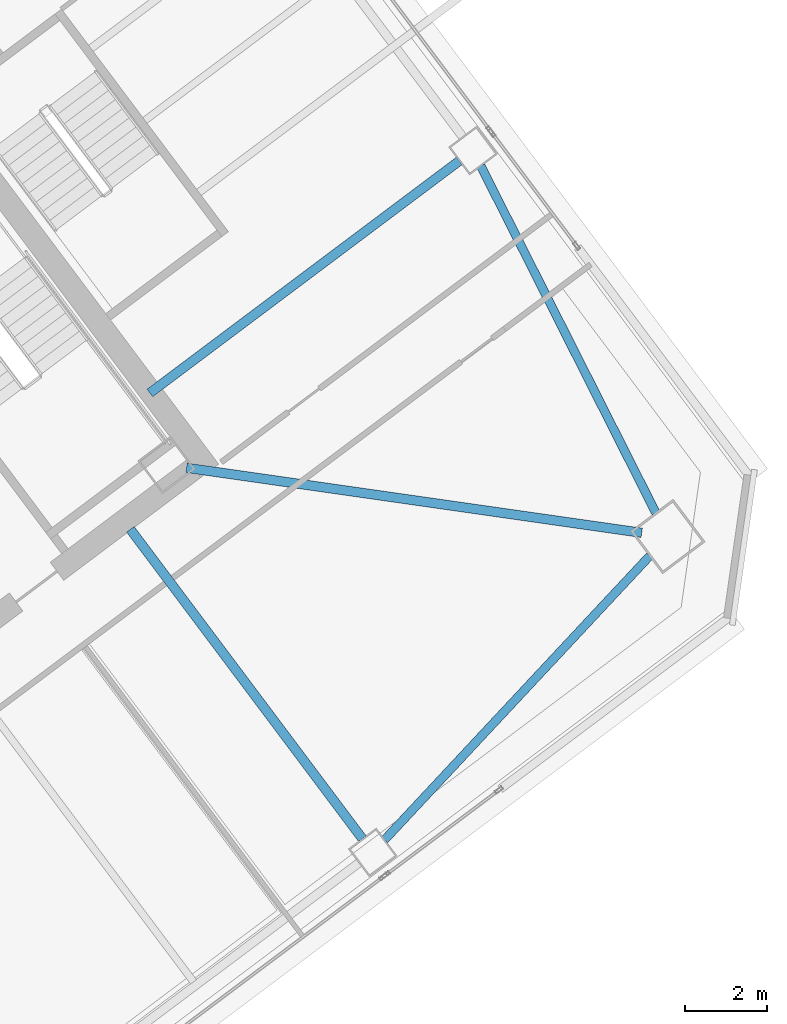
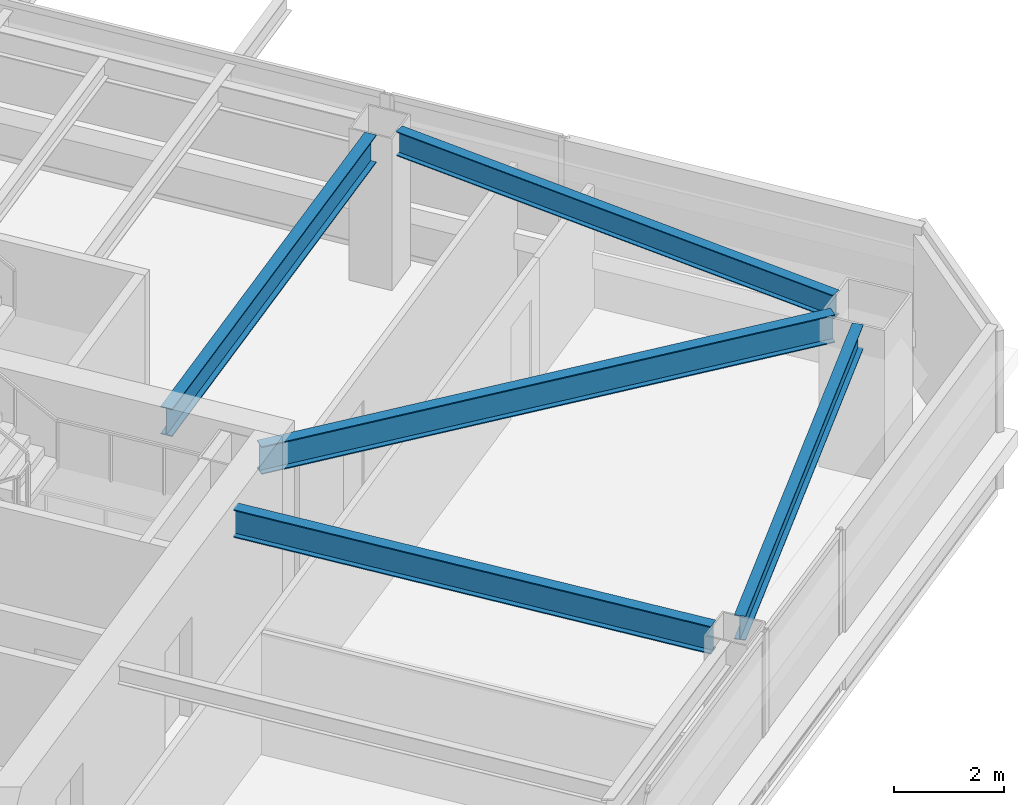
# One storey, part 23 of 40: 5 beams.
"""IFC4 building model written with IfcOpenShell, lengths in metres."""

from ifc_helpers import new_model, si_unit, direction, frame, origin, origin_2d, place, context, subcontext, project, spatial, i_section, extrude, material, material_profile, profile_set, type_object, element, save


model = new_model("IFC4")

# Units and contexts
model_context = context("Model", 3, precision=1e-05, world=origin(), true_north=direction((0.0, 1.0)))
body_context = subcontext(model_context, "Body", "Model", "MODEL_VIEW")
ifc_project = project(units=[si_unit("LENGTHUNIT", "METRE"), si_unit("AREAUNIT", "SQUARE_METRE"), si_unit("VOLUMEUNIT", "CUBIC_METRE"), si_unit("PLANEANGLEUNIT", "RADIAN"), si_unit("MASSUNIT", "GRAM", prefix="KILO")], contexts=[model_context])

# Site, building, storey
site_placement = place(None, origin())
site = spatial("IfcSite", under=ifc_project, at=site_placement, CompositionType="ELEMENT")
building_placement = place(site_placement, origin())
building = spatial("IfcBuilding", under=site, at=building_placement, Name="Tashvorn Skyway Center", CompositionType="ELEMENT")
storey_placement = place(building_placement, frame((0.0, 0.0, 142.800048828125)))
storey = spatial("IfcBuildingStorey", under=building, at=storey_placement, Name="L38", CompositionType="ELEMENT", Elevation=142.800048828125)

# Beams
ifc_material = material(Name="Steel ASTM A992 Grade 50", Category="steel")
ifc_material_profile_1 = material_profile(ifc_material, i_section(OverallWidth=0.22998046875, OverallDepth=0.616943359375, WebThickness=0.01318359375, FlangeThickness=0.022216796875, at=origin_2d()), Name="W24X94")
ifc_profile_set_1 = profile_set([ifc_material_profile_1], Name="Steel ASTM A992 Grade 50")
beam_type_1 = type_object("IfcBeamType", Name="BM-BEAM-W24X94", PredefinedType="BEAM", material=ifc_profile_set_1)
beam_1_placement = place(storey_placement, frame((135.4814453125, 28.93115234375, 3.0615234375), z_axis=(-0.989948189712, 0.141430483583, 0.0), x_axis=(-0.141430483583, -0.989948189712, 0.0)))
element("IfcBeam", 1, at=beam_1_placement, inside=storey, type_object=beam_type_1, Name="Tower 2 L38 Primary Floor Girder MC-SE", PredefinedType="BEAM", context=body_context, shape_type="SweptSolid", body=[
    extrude(i_section(OverallWidth=0.22998046875, OverallDepth=0.616943359375, WebThickness=0.01318359375, FlangeThickness=0.022216796875, at=origin_2d()), origin(), (0.0, 0.0, 1.0), 11.234375),
])
for number, where, z_axis, x_axis, name in (
    (2, (128.657958984375, 21.4560546875, 3.0615234375), (-0.599991732772, 0.800006200354, 0.0), (-0.800006200354, -0.599991732772, 0.0), "Tower 2 L38 Primary Floor Girder FC-S2"),
    (3, (131.02392578125, 38.01806640625, 3.0615234375), (-0.799984498661, -0.600020667896, 0.0), (0.600020667896, -0.799984498661, 0.0), "Tower 2 L38 Primary Floor Girder FC-E1"),
):
    element("IfcBeam", number, at=place(storey_placement, frame(where, z_axis=z_axis, x_axis=x_axis)), inside=storey, type_object=beam_type_1, Name=name, PredefinedType="BEAM", context=body_context, shape_type="SweptSolid", body=[
        extrude(i_section(OverallWidth=0.22998046875, OverallDepth=0.616943359375, WebThickness=0.01318359375, FlangeThickness=0.022216796875, at=origin_2d()), origin(), (0.0, 0.0, 1.0), 9.449951171875),
    ])
ifc_material_profile_2 = material_profile(ifc_material, i_section(OverallWidth=0.2109375, OverallDepth=0.5390625, WebThickness=0.01171875, FlangeThickness=0.018798828125, at=origin_2d()), Name="W21X73")
ifc_profile_set_2 = profile_set([ifc_material_profile_2], Name="Steel ASTM A992 Grade 50")
beam_type_2 = type_object("IfcBeamType", Name="BM-SPANDREL-W21X73", PredefinedType="SPANDREL", material=ifc_profile_set_2)
beam_2_placement = place(storey_placement, frame((129.19677734375, 21.427001953125, 3.100341796875), z_axis=(0.682545341102, 0.730843250868, 0.0), x_axis=(-0.730843250868, 0.682545341102, 0.0)))
element("IfcBeam", 4, at=beam_2_placement, inside=storey, type_object=beam_type_2, Name="Tower 2 L38 Spandrel Beam 03", PredefinedType="SPANDREL", context=body_context, shape_type="SweptSolid", body=[
    extrude(i_section(OverallWidth=0.2109375, OverallDepth=0.5390625, WebThickness=0.01171875, FlangeThickness=0.018798828125, at=origin_2d()), origin(), (0.0, 0.0, 1.0), 9.498046875),
])
beam_3_placement = place(storey_placement, frame((135.829345703125, 29.415771484375, 3.100341796875), z_axis=(-0.450613543136, 0.892719124217, 0.0), x_axis=(-0.892719124217, -0.450613543136, 0.0)))
element("IfcBeam", 5, at=beam_3_placement, inside=storey, type_object=beam_type_2, Name="Tower 2 L38 Spandrel Beam 04", PredefinedType="SPANDREL", context=body_context, shape_type="SweptSolid", body=[
    extrude(i_section(OverallWidth=0.2109375, OverallDepth=0.5390625, WebThickness=0.01171875, FlangeThickness=0.018798828125, at=origin_2d()), origin(), (0.0, 0.0, 1.0), 9.498291015625),
])

save(model, "model.ifc")
